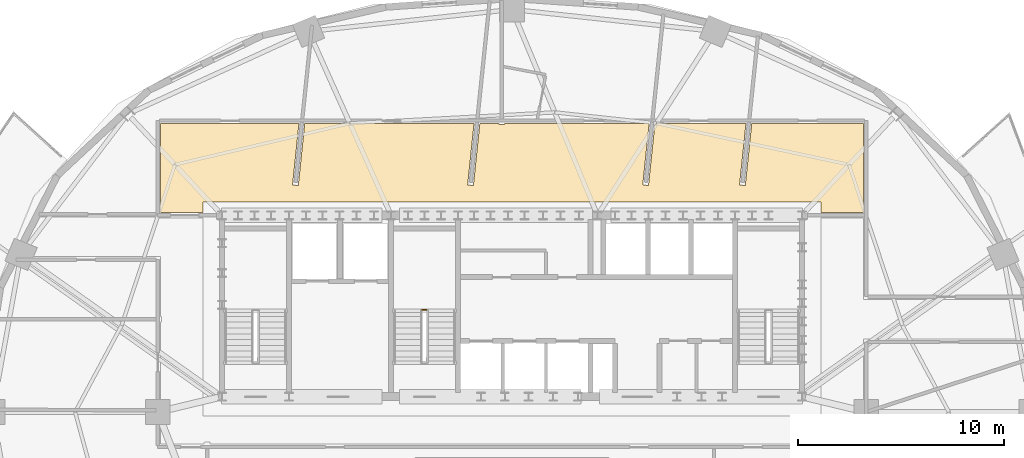
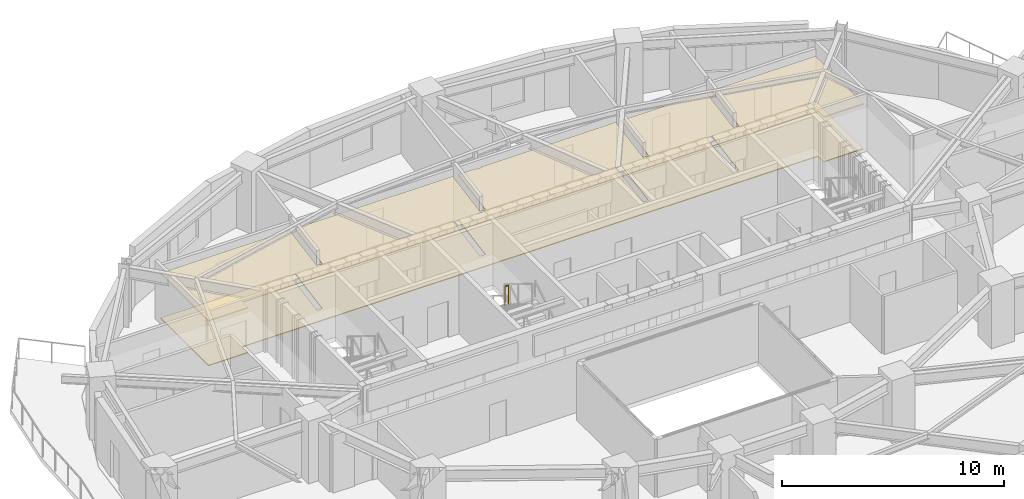
# One storey, part 12 of 13: 2 coverings, 1 railing.
"""IFC4 building model written with IfcOpenShell, lengths in metres."""

from ifc_helpers import new_model, si_unit, direction, frame, origin, origin_2d, place, context, subcontext, project, spatial, polyline, rectangle, outline, extrude, material, layer, layer_set, type_object, element, save


model = new_model("IFC4")

# Units and contexts
model_context = context("Model", 3, precision=1e-05, world=origin(), true_north=direction((0.0, 1.0)))
body_context = subcontext(model_context, "Body", "Model", "MODEL_VIEW")
ifc_project = project(units=[si_unit("LENGTHUNIT", "METRE"), si_unit("AREAUNIT", "SQUARE_METRE"), si_unit("VOLUMEUNIT", "CUBIC_METRE"), si_unit("PLANEANGLEUNIT", "RADIAN"), si_unit("MASSUNIT", "GRAM", prefix="KILO")], contexts=[model_context])

# Site, building, storey
site_placement = place(None, origin())
site = spatial("IfcSite", under=ifc_project, at=site_placement, CompositionType="ELEMENT")
building_placement = place(site_placement, origin())
building = spatial("IfcBuilding", under=site, at=building_placement, Name="Haldorwick Loom Tower", CompositionType="ELEMENT")
storey_placement = place(building_placement, frame((0.0, 0.0, 175.14990234375)))
storey = spatial("IfcBuildingStorey", under=building, at=storey_placement, Name="L47", CompositionType="ELEMENT", Elevation=175.14990234375)

# Coverings
ifc_material_1 = material(Name="Mineral Fibre Acoustic Ceiling Tile")
ifc_layer_1 = layer(ifc_material_1, 0.054931640625, Name="Mineral Fibre Acoustic Ceiling Tile")
ifc_layer_set_1 = layer_set([ifc_layer_1], Name="Mineral Fibre Acoustic Ceiling Tile")
covering_type_1 = type_object("IfcCoveringType", Name="ARC-COV-CEIL2", PredefinedType="CEILING", material=ifc_layer_set_1)
covering_1_placement = place(storey_placement, frame((0.0, 0.0, 2.4580078125)))
element("IfcCovering", 1, at=covering_1_placement, inside=storey, type_object=covering_type_1, Name="L47 Acoustic Suspended Ceiling 2", PredefinedType="CEILING", context=body_context, shape_type="SweptSolid", body=[
    extrude(outline(polyline([(21.0, 35.68994140625), (21.0, 36.199951171875), (51.0, 36.199951171875), (51.0, 35.68994140625), (53.06005859375, 35.68994140625), (53.06005859375, 40.010009765625), (47.638671875, 40.010009765625), (47.326904296875, 37.01611328125), (47.326416015625, 37.01416015625), (47.325927734375, 37.01220703125), (47.3251953125, 37.010498046875), (47.324462890625, 37.0087890625), (47.323486328125, 37.007080078125), (47.322265625, 37.00537109375), (47.321044921875, 37.00390625), (47.319580078125, 37.002685546875), (47.31787109375, 37.00146484375), (47.316162109375, 37.00048828125), (47.314453125, 36.999755859375), (47.3125, 36.9990234375), (47.310791015625, 36.99853515625), (47.30859375, 36.998291015625), (47.306884765625, 36.998291015625), (47.3046875, 36.998291015625), (47.066162109375, 37.023193359375), (47.064208984375, 37.0234375), (47.062255859375, 37.02392578125), (47.060302734375, 37.024658203125), (47.05859375, 37.025390625), (47.056884765625, 37.026611328125), (47.055419921875, 37.027587890625), (47.053955078125, 37.029052734375), (47.052734375, 37.030517578125), (47.051513671875, 37.031982421875), (47.050537109375, 37.03369140625), (47.0498046875, 37.03564453125), (47.049072265625, 37.037353515625), (47.048583984375, 37.039306640625), (47.04833984375, 37.041259765625), (47.048095703125, 37.043212890625), (47.04833984375, 37.045166015625), (47.357177734375, 40.010009765625), (42.938720703125, 40.010009765625), (42.626708984375, 37.01611328125), (42.62646484375, 37.01416015625), (42.6259765625, 37.01220703125), (42.625244140625, 37.010498046875), (42.62451171875, 37.0087890625), (42.62353515625, 37.007080078125), (42.622314453125, 37.00537109375), (42.62109375, 37.00390625), (42.619384765625, 37.002685546875), (42.617919921875, 37.00146484375), (42.6162109375, 37.00048828125), (42.614501953125, 36.999755859375), (42.612548828125, 36.9990234375), (42.610595703125, 36.99853515625), (42.608642578125, 36.998291015625), (42.606689453125, 36.998291015625), (42.604736328125, 36.998291015625), (42.3662109375, 37.023193359375), (42.3642578125, 37.0234375), (42.3623046875, 37.02392578125), (42.3603515625, 37.024658203125), (42.358642578125, 37.025390625), (42.35693359375, 37.026611328125), (42.35546875, 37.027587890625), (42.35400390625, 37.029052734375), (42.352783203125, 37.030517578125), (42.3515625, 37.031982421875), (42.3505859375, 37.03369140625), (42.349609375, 37.03564453125), (42.34912109375, 37.037353515625), (42.3486328125, 37.039306640625), (42.348388671875, 37.041259765625), (42.34814453125, 37.043212890625), (42.348388671875, 37.045166015625), (42.656982421875, 40.010009765625), (35.639892578125, 40.010009765625), (35.639892578125, 39.97998046875), (35.639892578125, 39.97802734375), (35.6396484375, 39.97607421875), (35.63916015625, 39.97412109375), (35.638427734375, 39.972412109375), (35.6376953125, 39.970703125), (35.63671875, 39.968994140625), (35.635498046875, 39.96728515625), (35.634033203125, 39.9658203125), (35.6328125, 39.964599609375), (35.631103515625, 39.96337890625), (35.62939453125, 39.96240234375), (35.627685546875, 39.96142578125), (35.625732421875, 39.9609375), (35.623779296875, 39.96044921875), (35.6220703125, 39.960205078125), (35.6201171875, 39.9599609375), (35.3798828125, 39.9599609375), (35.3779296875, 39.960205078125), (35.376220703125, 39.96044921875), (35.374267578125, 39.9609375), (35.372314453125, 39.96142578125), (35.37060546875, 39.96240234375), (35.368896484375, 39.96337890625), (35.3671875, 39.964599609375), (35.365966796875, 39.9658203125), (35.364501953125, 39.96728515625), (35.36328125, 39.968994140625), (35.3623046875, 39.970703125), (35.361572265625, 39.972412109375), (35.36083984375, 39.97412109375), (35.3603515625, 39.97607421875), (35.360107421875, 39.97802734375), (35.360107421875, 39.97998046875), (35.360107421875, 40.010009765625), (34.438720703125, 40.010009765625), (34.126708984375, 37.01611328125), (34.12646484375, 37.01416015625), (34.1259765625, 37.01220703125), (34.125244140625, 37.010498046875), (34.12451171875, 37.0087890625), (34.12353515625, 37.007080078125), (34.122314453125, 37.00537109375), (34.12109375, 37.00390625), (34.119384765625, 37.002685546875), (34.117919921875, 37.00146484375), (34.1162109375, 37.00048828125), (34.114501953125, 36.999755859375), (34.112548828125, 36.9990234375), (34.110595703125, 36.99853515625), (34.108642578125, 36.998291015625), (34.106689453125, 36.998291015625), (34.104736328125, 36.998291015625), (33.8662109375, 37.023193359375), (33.8642578125, 37.0234375), (33.8623046875, 37.02392578125), (33.8603515625, 37.024658203125), (33.858642578125, 37.025390625), (33.85693359375, 37.026611328125), (33.85546875, 37.027587890625), (33.85400390625, 37.029052734375), (33.852783203125, 37.030517578125), (33.8515625, 37.031982421875), (33.8505859375, 37.03369140625), (33.849609375, 37.03564453125), (33.84912109375, 37.037353515625), (33.8486328125, 37.039306640625), (33.848388671875, 37.041259765625), (33.84814453125, 37.043212890625), (33.848388671875, 37.045166015625), (34.156982421875, 40.010009765625), (25.938720703125, 40.010009765625), (25.626708984375, 37.01611328125), (25.62646484375, 37.01416015625), (25.6259765625, 37.01220703125), (25.625244140625, 37.010498046875), (25.62451171875, 37.0087890625), (25.62353515625, 37.007080078125), (25.622314453125, 37.00537109375), (25.62109375, 37.00390625), (25.619384765625, 37.002685546875), (25.617919921875, 37.00146484375), (25.6162109375, 37.00048828125), (25.614501953125, 36.999755859375), (25.612548828125, 36.9990234375), (25.610595703125, 36.99853515625), (25.608642578125, 36.998291015625), (25.606689453125, 36.998291015625), (25.604736328125, 36.998291015625), (25.3662109375, 37.023193359375), (25.3642578125, 37.0234375), (25.3623046875, 37.02392578125), (25.3603515625, 37.024658203125), (25.358642578125, 37.025390625), (25.35693359375, 37.026611328125), (25.35546875, 37.027587890625), (25.35400390625, 37.029052734375), (25.352783203125, 37.030517578125), (25.3515625, 37.031982421875), (25.3505859375, 37.03369140625), (25.349609375, 37.03564453125), (25.34912109375, 37.037353515625), (25.3486328125, 37.039306640625), (25.348388671875, 37.041259765625), (25.34814453125, 37.043212890625), (25.348388671875, 37.045166015625), (25.656982421875, 40.010009765625), (18.93994140625, 40.010009765625), (18.93994140625, 35.68994140625), (21.0, 35.68994140625)])), origin(), (0.0, 0.0, 1.0), 0.05517578125),
])
ifc_material_2 = material(Name="Polished Aggregate Terrazzo Finish")
ifc_layer_2 = layer(ifc_material_2, 0.044921875, Name="Polished Aggregate Terrazzo Finish")
ifc_layer_set_2 = layer_set([ifc_layer_2], Name="Polished Aggregate Terrazzo Finish")
covering_type_2 = type_object("IfcCoveringType", Name="ARC-COV-FLOOR2", PredefinedType="FLOORING", material=ifc_layer_set_2)
covering_2_placement = place(storey_placement, origin())
element("IfcCovering", 2, at=covering_2_placement, inside=storey, type_object=covering_type_2, Name="L47 Floor Finish 2", PredefinedType="FLOORING", context=body_context, shape_type="SweptSolid", body=[
    extrude(outline(polyline([(21.0, 35.68994140625), (21.0, 36.199951171875), (51.0, 36.199951171875), (51.0, 35.68994140625), (53.06005859375, 35.68994140625), (53.06005859375, 40.010009765625), (47.638671875, 40.010009765625), (47.326904296875, 37.01611328125), (47.326416015625, 37.01416015625), (47.325927734375, 37.01220703125), (47.3251953125, 37.010498046875), (47.324462890625, 37.0087890625), (47.323486328125, 37.007080078125), (47.322265625, 37.00537109375), (47.321044921875, 37.00390625), (47.319580078125, 37.002685546875), (47.31787109375, 37.00146484375), (47.316162109375, 37.00048828125), (47.314453125, 36.999755859375), (47.3125, 36.9990234375), (47.310791015625, 36.99853515625), (47.30859375, 36.998291015625), (47.306884765625, 36.998291015625), (47.3046875, 36.998291015625), (47.066162109375, 37.023193359375), (47.064208984375, 37.0234375), (47.062255859375, 37.02392578125), (47.060302734375, 37.024658203125), (47.05859375, 37.025390625), (47.056884765625, 37.026611328125), (47.055419921875, 37.027587890625), (47.053955078125, 37.029052734375), (47.052734375, 37.030517578125), (47.051513671875, 37.031982421875), (47.050537109375, 37.03369140625), (47.0498046875, 37.03564453125), (47.049072265625, 37.037353515625), (47.048583984375, 37.039306640625), (47.04833984375, 37.041259765625), (47.048095703125, 37.043212890625), (47.04833984375, 37.045166015625), (47.357177734375, 40.010009765625), (42.938720703125, 40.010009765625), (42.626708984375, 37.01611328125), (42.62646484375, 37.01416015625), (42.6259765625, 37.01220703125), (42.625244140625, 37.010498046875), (42.62451171875, 37.0087890625), (42.62353515625, 37.007080078125), (42.622314453125, 37.00537109375), (42.62109375, 37.00390625), (42.619384765625, 37.002685546875), (42.617919921875, 37.00146484375), (42.6162109375, 37.00048828125), (42.614501953125, 36.999755859375), (42.612548828125, 36.9990234375), (42.610595703125, 36.99853515625), (42.608642578125, 36.998291015625), (42.606689453125, 36.998291015625), (42.604736328125, 36.998291015625), (42.3662109375, 37.023193359375), (42.3642578125, 37.0234375), (42.3623046875, 37.02392578125), (42.3603515625, 37.024658203125), (42.358642578125, 37.025390625), (42.35693359375, 37.026611328125), (42.35546875, 37.027587890625), (42.35400390625, 37.029052734375), (42.352783203125, 37.030517578125), (42.3515625, 37.031982421875), (42.3505859375, 37.03369140625), (42.349609375, 37.03564453125), (42.34912109375, 37.037353515625), (42.3486328125, 37.039306640625), (42.348388671875, 37.041259765625), (42.34814453125, 37.043212890625), (42.348388671875, 37.045166015625), (42.656982421875, 40.010009765625), (35.639892578125, 40.010009765625), (35.639892578125, 39.97998046875), (35.639892578125, 39.97802734375), (35.6396484375, 39.97607421875), (35.63916015625, 39.97412109375), (35.638427734375, 39.972412109375), (35.6376953125, 39.970703125), (35.63671875, 39.968994140625), (35.635498046875, 39.96728515625), (35.634033203125, 39.9658203125), (35.6328125, 39.964599609375), (35.631103515625, 39.96337890625), (35.62939453125, 39.96240234375), (35.627685546875, 39.96142578125), (35.625732421875, 39.9609375), (35.623779296875, 39.96044921875), (35.6220703125, 39.960205078125), (35.6201171875, 39.9599609375), (35.3798828125, 39.9599609375), (35.3779296875, 39.960205078125), (35.376220703125, 39.96044921875), (35.374267578125, 39.9609375), (35.372314453125, 39.96142578125), (35.37060546875, 39.96240234375), (35.368896484375, 39.96337890625), (35.3671875, 39.964599609375), (35.365966796875, 39.9658203125), (35.364501953125, 39.96728515625), (35.36328125, 39.968994140625), (35.3623046875, 39.970703125), (35.361572265625, 39.972412109375), (35.36083984375, 39.97412109375), (35.3603515625, 39.97607421875), (35.360107421875, 39.97802734375), (35.360107421875, 39.97998046875), (35.360107421875, 40.010009765625), (34.438720703125, 40.010009765625), (34.126708984375, 37.01611328125), (34.12646484375, 37.01416015625), (34.1259765625, 37.01220703125), (34.125244140625, 37.010498046875), (34.12451171875, 37.0087890625), (34.12353515625, 37.007080078125), (34.122314453125, 37.00537109375), (34.12109375, 37.00390625), (34.119384765625, 37.002685546875), (34.117919921875, 37.00146484375), (34.1162109375, 37.00048828125), (34.114501953125, 36.999755859375), (34.112548828125, 36.9990234375), (34.110595703125, 36.99853515625), (34.108642578125, 36.998291015625), (34.106689453125, 36.998291015625), (34.104736328125, 36.998291015625), (33.8662109375, 37.023193359375), (33.8642578125, 37.0234375), (33.8623046875, 37.02392578125), (33.8603515625, 37.024658203125), (33.858642578125, 37.025390625), (33.85693359375, 37.026611328125), (33.85546875, 37.027587890625), (33.85400390625, 37.029052734375), (33.852783203125, 37.030517578125), (33.8515625, 37.031982421875), (33.8505859375, 37.03369140625), (33.849609375, 37.03564453125), (33.84912109375, 37.037353515625), (33.8486328125, 37.039306640625), (33.848388671875, 37.041259765625), (33.84814453125, 37.043212890625), (33.848388671875, 37.045166015625), (34.156982421875, 40.010009765625), (25.938720703125, 40.010009765625), (25.626708984375, 37.01611328125), (25.62646484375, 37.01416015625), (25.6259765625, 37.01220703125), (25.625244140625, 37.010498046875), (25.62451171875, 37.0087890625), (25.62353515625, 37.007080078125), (25.622314453125, 37.00537109375), (25.62109375, 37.00390625), (25.619384765625, 37.002685546875), (25.617919921875, 37.00146484375), (25.6162109375, 37.00048828125), (25.614501953125, 36.999755859375), (25.612548828125, 36.9990234375), (25.610595703125, 36.99853515625), (25.608642578125, 36.998291015625), (25.606689453125, 36.998291015625), (25.604736328125, 36.998291015625), (25.3662109375, 37.023193359375), (25.3642578125, 37.0234375), (25.3623046875, 37.02392578125), (25.3603515625, 37.024658203125), (25.358642578125, 37.025390625), (25.35693359375, 37.026611328125), (25.35546875, 37.027587890625), (25.35400390625, 37.029052734375), (25.352783203125, 37.030517578125), (25.3515625, 37.031982421875), (25.3505859375, 37.03369140625), (25.349609375, 37.03564453125), (25.34912109375, 37.037353515625), (25.3486328125, 37.039306640625), (25.348388671875, 37.041259765625), (25.34814453125, 37.043212890625), (25.348388671875, 37.045166015625), (25.656982421875, 40.010009765625), (18.93994140625, 40.010009765625), (18.93994140625, 35.68994140625), (21.0, 35.68994140625)])), origin(), (0.0, 0.0, 1.0), 0.045166015625),
])

# Railing
ifc_material_3 = material(Name="Steel CSA G40.21 350W", Category="steel")
railing_type = type_object("IfcRailingType", Name="ARC-RLG-GUARD112", PredefinedType="GUARDRAIL", material=ifc_material_3)
railing_placement = place(storey_placement, frame((31.85009765625, 30.969970703125, 1.72509765625)))
element("IfcRailing", 3, at=railing_placement, inside=storey, type_object=railing_type, Name="L47 ST-03 stair guard 2", PredefinedType="GUARDRAIL", context=body_context, shape_type="SweptSolid", body=[
    extrude(rectangle(XDim=0.048095703125, YDim=0.048095703125, at=origin_2d()), frame((0.0, 0.0, 1.076171875), z_axis=(-1.0, 0.0, 0.0), x_axis=(0.0, -1.0, 0.0)), (0.0, 0.0, 1.0), 0.2001953125),
    extrude(rectangle(XDim=0.0419921875, YDim=0.0419921875, at=origin_2d()), origin(), (0.0, 0.0, 1.0), 1.052001953125),
    extrude(rectangle(XDim=0.0419921875, YDim=0.0419921875, at=origin_2d()), frame((-0.2001953125, 0.0, 0.0)), (0.0, 0.0, 1.0), 1.052001953125),
])

save(model, "model.ifc")
